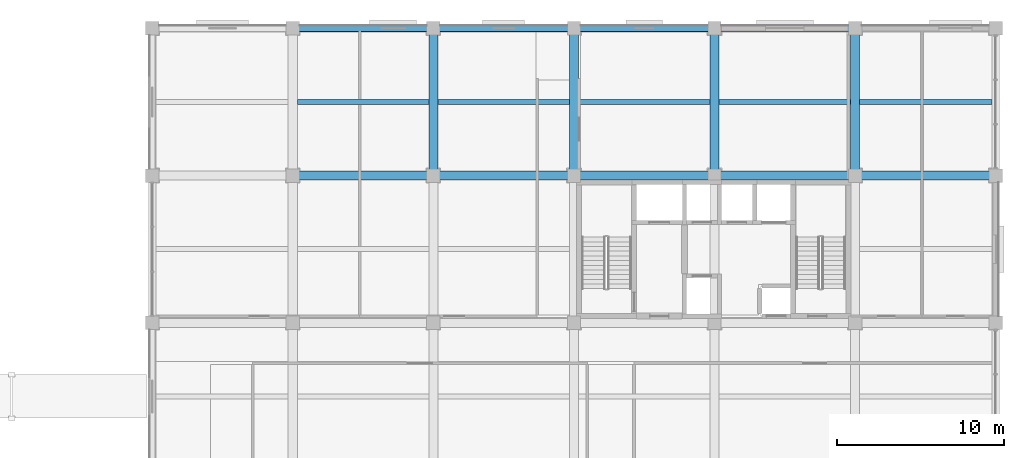
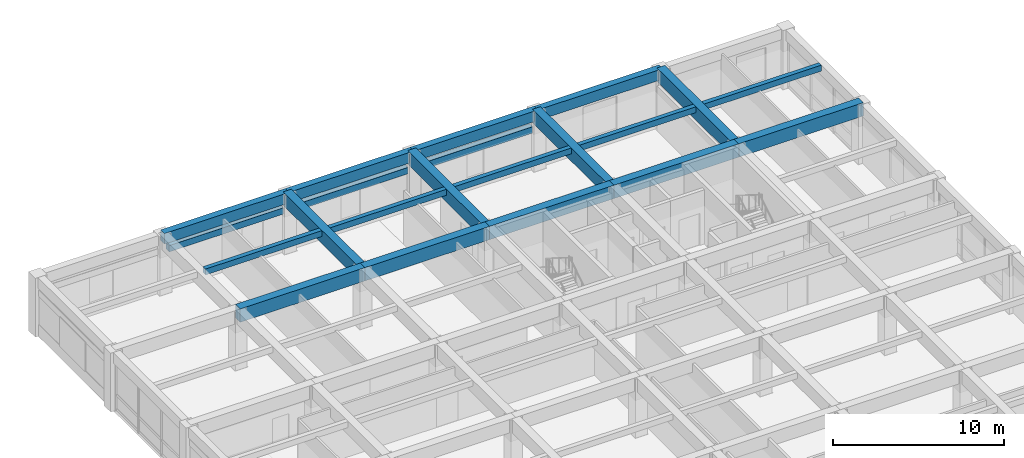
# One storey, part 23 of 46: 21 beams.
"""IFC4 building model written with IfcOpenShell, lengths in metres."""

from ifc_helpers import new_model, si_unit, direction, frame, origin, origin_2d, place, context, subcontext, project, spatial, rectangle, extrude, material, material_profile, profile_set, type_object, element, save


model = new_model("IFC4")

# Units and contexts
model_context = context("Model", 3, precision=1e-05, world=origin(), true_north=direction((0.0, 1.0)))
body_context = subcontext(model_context, "Body", "Model", "MODEL_VIEW")
ifc_project = project(units=[si_unit("LENGTHUNIT", "METRE"), si_unit("AREAUNIT", "SQUARE_METRE"), si_unit("VOLUMEUNIT", "CUBIC_METRE"), si_unit("PLANEANGLEUNIT", "RADIAN"), si_unit("MASSUNIT", "GRAM", prefix="KILO")], contexts=[model_context])

# Site, building, storey
site_placement = place(None, origin())
site = spatial("IfcSite", under=ifc_project, at=site_placement, CompositionType="ELEMENT")
building_placement = place(site_placement, origin())
building = spatial("IfcBuilding", under=site, at=building_placement, Name="Kemercrest Conservatory and Botanical Centre", CompositionType="ELEMENT")
storey_placement = place(building_placement, frame((0.0, 0.0, 9.0)))
storey = spatial("IfcBuildingStorey", under=building, at=storey_placement, Name="L02", CompositionType="ELEMENT", Elevation=9.0)

# Beams
ifc_material_1 = material(Name="Concrete C50/60", Category="concrete")
ifc_material_profile_1 = material_profile(ifc_material_1, rectangle(XDim=0.550048828125, YDim=0.949951171875, at=origin_2d()), Name="RC 550x950")
ifc_profile_set_1 = profile_set([ifc_material_profile_1], Name="Concrete C50/60")
beam_type_1 = type_object("IfcBeamType", Name="BM-RC95", PredefinedType="BEAM", material=ifc_profile_set_1)
beam_1_placement = place(storey_placement, frame((134.0, 113.60009765625, 3.72509765625), z_axis=(1.0, 0.0, 0.0), x_axis=(0.0, 1.0, 0.0)))
element("IfcBeam", 1, at=beam_1_placement, inside=storey, type_object=beam_type_1, Name="V4-L03 beam BM-RC95 N/16-17", PredefinedType="BEAM", context=body_context, shape_type="SweptSolid", body=[
    extrude(rectangle(XDim=0.550048828125, YDim=0.949951171875, at=origin_2d()), origin(), (0.0, 0.0, 1.0), 8.39990234375),
])
beam_2_placement = place(storey_placement, frame((142.39990234375, 113.60009765625, 3.72509765625), z_axis=(1.0, 0.0, 0.0), x_axis=(0.0, 1.0, 0.0)))
element("IfcBeam", 2, at=beam_2_placement, inside=storey, type_object=beam_type_1, Name="V4-L03 beam BM-RC95 N/17-18", PredefinedType="BEAM", context=body_context, shape_type="SweptSolid", body=[
    extrude(rectangle(XDim=0.550048828125, YDim=0.949951171875, at=origin_2d()), origin(), (0.0, 0.0, 1.0), 8.400146484375),
])
beam_3_placement = place(storey_placement, frame((150.800048828125, 113.60009765625, 3.72509765625), z_axis=(1.0, 0.0, 0.0), x_axis=(0.0, 1.0, 0.0)))
element("IfcBeam", 3, at=beam_3_placement, inside=storey, type_object=beam_type_1, Name="V4-L03 beam BM-RC95 N/18-19", PredefinedType="BEAM", context=body_context, shape_type="SweptSolid", body=[
    extrude(rectangle(XDim=0.550048828125, YDim=0.949951171875, at=origin_2d()), origin(), (0.0, 0.0, 1.0), 8.39990234375),
])
beam_4_placement = place(storey_placement, frame((159.199951171875, 113.60009765625, 3.72509765625), z_axis=(1.0, 0.0, 0.0), x_axis=(0.0, 1.0, 0.0)))
element("IfcBeam", 4, at=beam_4_placement, inside=storey, type_object=beam_type_1, Name="V4-L03 beam BM-RC95 N/19-20", PredefinedType="BEAM", context=body_context, shape_type="SweptSolid", body=[
    extrude(rectangle(XDim=0.550048828125, YDim=0.949951171875, at=origin_2d()), origin(), (0.0, 0.0, 1.0), 8.400146484375),
])
beam_5_placement = place(storey_placement, frame((167.60009765625, 113.60009765625, 3.72509765625), z_axis=(1.0, 0.0, 0.0), x_axis=(0.0, 1.0, 0.0)))
element("IfcBeam", 5, at=beam_5_placement, inside=storey, type_object=beam_type_1, Name="V4-L03 beam BM-RC95 N/20-21", PredefinedType="BEAM", context=body_context, shape_type="SweptSolid", body=[
    extrude(rectangle(XDim=0.550048828125, YDim=0.949951171875, at=origin_2d()), origin(), (0.0, 0.0, 1.0), 8.39990234375),
])
for number, where, z_axis, x_axis, name in (
    (6, (142.39990234375, 113.60009765625, 3.72509765625), (0.0, 1.0, 0.0), (-1.0, 0.0, 0.0), "V4-L03 beam BM-RC95 17/N-P"),
    (7, (150.800048828125, 113.60009765625, 3.72509765625), (0.0, 1.0, 0.0), (-1.0, 0.0, 0.0), "V4-L03 beam BM-RC95 18/N-P"),
    (8, (159.199951171875, 113.60009765625, 3.72509765625), (0.0, 1.0, 0.0), (-1.0, 0.0, 0.0), "V4-L03 beam BM-RC95 19/N-P"),
    (9, (167.60009765625, 113.60009765625, 3.72509765625), (0.0, 1.0, 0.0), (-1.0, 0.0, 0.0), "V4-L03 beam BM-RC95 20/N-P"),
):
    element("IfcBeam", number, at=place(storey_placement, frame(where, z_axis=z_axis, x_axis=x_axis)), inside=storey, type_object=beam_type_1, Name=name, PredefinedType="BEAM", context=body_context, shape_type="SweptSolid", body=[
        extrude(rectangle(XDim=0.550048828125, YDim=0.949951171875, at=origin_2d()), origin(), (0.0, 0.0, 1.0), 8.7998046875),
    ])
ifc_material_2 = material(Name="Concrete C40/50", Category="concrete")
ifc_material_profile_2 = material_profile(ifc_material_2, rectangle(XDim=0.300048828125, YDim=0.419921875, at=origin_2d()), Name="RC 300x420")
ifc_profile_set_2 = profile_set([ifc_material_profile_2], Name="Concrete C40/50")
beam_type_2 = type_object("IfcBeamType", Name="JS-RC42", PredefinedType="JOIST", material=ifc_profile_set_2)
beam_6_placement = place(storey_placement, frame((134.27490234375, 118.0, 3.989990234375), z_axis=(1.0, 0.0, 0.0), x_axis=(0.0, 1.0, 0.0)))
element("IfcBeam", 10, at=beam_6_placement, inside=storey, type_object=beam_type_2, Name="V4-L03 secondary joist JS-RC42", PredefinedType="JOIST", context=body_context, shape_type="SweptSolid", body=[
    extrude(rectangle(XDim=0.300048828125, YDim=0.419921875, at=origin_2d()), origin(), (0.0, 0.0, 1.0), 7.85009765625),
])
beam_7_placement = place(storey_placement, frame((142.675048828125, 118.0, 3.989990234375), z_axis=(1.0, 0.0, 0.0), x_axis=(0.0, 1.0, 0.0)))
element("IfcBeam", 11, at=beam_7_placement, inside=storey, type_object=beam_type_2, Name="V4-L03 secondary joist JS-RC42", PredefinedType="JOIST", context=body_context, shape_type="SweptSolid", body=[
    extrude(rectangle(XDim=0.300048828125, YDim=0.419921875, at=origin_2d()), origin(), (0.0, 0.0, 1.0), 7.849853515625),
])
beam_8_placement = place(storey_placement, frame((151.074951171875, 118.0, 3.989990234375), z_axis=(1.0, 0.0, 0.0), x_axis=(0.0, 1.0, 0.0)))
element("IfcBeam", 12, at=beam_8_placement, inside=storey, type_object=beam_type_2, Name="V4-L03 secondary joist JS-RC42", PredefinedType="JOIST", context=body_context, shape_type="SweptSolid", body=[
    extrude(rectangle(XDim=0.300048828125, YDim=0.419921875, at=origin_2d()), origin(), (0.0, 0.0, 1.0), 7.85009765625),
])
beam_9_placement = place(storey_placement, frame((159.47509765625, 118.0, 3.989990234375), z_axis=(1.0, 0.0, 0.0), x_axis=(0.0, 1.0, 0.0)))
element("IfcBeam", 13, at=beam_9_placement, inside=storey, type_object=beam_type_2, Name="V4-L03 secondary joist JS-RC42", PredefinedType="JOIST", context=body_context, shape_type="SweptSolid", body=[
    extrude(rectangle(XDim=0.300048828125, YDim=0.419921875, at=origin_2d()), origin(), (0.0, 0.0, 1.0), 7.849853515625),
])
beam_10_placement = place(storey_placement, frame((167.875, 118.0, 3.989990234375), z_axis=(1.0, 0.0, 0.0), x_axis=(0.0, 1.0, 0.0)))
element("IfcBeam", 14, at=beam_10_placement, inside=storey, type_object=beam_type_2, Name="V4-L03 secondary joist JS-RC42", PredefinedType="JOIST", context=body_context, shape_type="SweptSolid", body=[
    extrude(rectangle(XDim=0.300048828125, YDim=0.419921875, at=origin_2d()), origin(), (0.0, 0.0, 1.0), 7.89990234375),
])
ifc_material_3 = material(Name="Precast concrete C40/50", Category="concrete")
ifc_material_profile_3 = material_profile(ifc_material_3, rectangle(XDim=0.35009765625, YDim=0.449951171875, at=origin_2d()), Name="RC 350x450")
ifc_profile_set_3 = profile_set([ifc_material_profile_3], Name="Precast concrete C40/50")
beam_type_3 = type_object("IfcBeamType", Name="LN-RC47", PredefinedType="LINTEL", material=ifc_profile_set_3)
beam_11_placement = place(storey_placement, frame((158.85009765625, 122.39990234375, 2.864990234375), z_axis=(-1.0, 0.0, 0.0), x_axis=(0.0, -1.0, 0.0)))
element("IfcBeam", 15, at=beam_11_placement, inside=storey, type_object=beam_type_3, Name="Precast arched window lintel (WIN:L02:EXT-200)", PredefinedType="LINTEL", context=body_context, shape_type="SweptSolid", body=[
    extrude(rectangle(XDim=0.35009765625, YDim=0.449951171875, at=origin_2d()), origin(), (0.0, 0.0, 1.0), 7.7001953125),
])
for number, where, z_axis, x_axis, name in (
    (16, (150.449951171875, 122.39990234375, 2.905029296875), (-1.0, 0.0, 0.0), (0.0, -1.0, 0.0), "Precast arched window lintel (WIN:L02:EXT-201)"),
    (17, (142.050048828125, 122.39990234375, 2.965087890625), (-1.0, 0.0, 0.0), (0.0, -1.0, 0.0), "Precast arched window lintel (WIN:L02:EXT-202)"),
):
    element("IfcBeam", number, at=place(storey_placement, frame(where, z_axis=z_axis, x_axis=x_axis)), inside=storey, type_object=beam_type_3, Name=name, PredefinedType="LINTEL", context=body_context, shape_type="SweptSolid", body=[
        extrude(rectangle(XDim=0.35009765625, YDim=0.449951171875, at=origin_2d()), origin(), (0.0, 0.0, 1.0), 7.699951171875),
    ])
ifc_material_profile_4 = material_profile(ifc_material_2, rectangle(XDim=0.449951171875, YDim=0.75, at=origin_2d()), Name="RC 450x750")
ifc_profile_set_4 = profile_set([ifc_material_profile_4], Name="Concrete C40/50")
beam_type_4 = type_object("IfcBeamType", Name="SP-RC75", PredefinedType="SPANDREL", material=ifc_profile_set_4)
beam_12_placement = place(storey_placement, frame((134.0, 122.39990234375, 3.824951171875), z_axis=(1.0, 0.0, 0.0), x_axis=(0.0, 1.0, 0.0)))
element("IfcBeam", 18, at=beam_12_placement, inside=storey, type_object=beam_type_4, Name="V4-L03 beam SP-RC75 P/16-17", PredefinedType="SPANDREL", context=body_context, shape_type="SweptSolid", body=[
    extrude(rectangle(XDim=0.449951171875, YDim=0.75, at=origin_2d()), origin(), (0.0, 0.0, 1.0), 8.39990234375),
])
beam_13_placement = place(storey_placement, frame((142.39990234375, 122.39990234375, 3.824951171875), z_axis=(1.0, 0.0, 0.0), x_axis=(0.0, 1.0, 0.0)))
element("IfcBeam", 19, at=beam_13_placement, inside=storey, type_object=beam_type_4, Name="V4-L03 beam SP-RC75 P/17-18", PredefinedType="SPANDREL", context=body_context, shape_type="SweptSolid", body=[
    extrude(rectangle(XDim=0.449951171875, YDim=0.75, at=origin_2d()), origin(), (0.0, 0.0, 1.0), 8.400146484375),
])
beam_14_placement = place(storey_placement, frame((150.800048828125, 122.39990234375, 3.824951171875), z_axis=(1.0, 0.0, 0.0), x_axis=(0.0, 1.0, 0.0)))
element("IfcBeam", 20, at=beam_14_placement, inside=storey, type_object=beam_type_4, Name="V4-L03 beam SP-RC75 P/18-19", PredefinedType="SPANDREL", context=body_context, shape_type="SweptSolid", body=[
    extrude(rectangle(XDim=0.449951171875, YDim=0.75, at=origin_2d()), origin(), (0.0, 0.0, 1.0), 8.39990234375),
])
beam_15_placement = place(storey_placement, frame((159.199951171875, 122.39990234375, 3.824951171875), z_axis=(1.0, 0.0, 0.0), x_axis=(0.0, 1.0, 0.0)))
element("IfcBeam", 21, at=beam_15_placement, inside=storey, type_object=beam_type_4, Name="V4-L03 beam SP-RC75 P/19-20", PredefinedType="SPANDREL", context=body_context, shape_type="SweptSolid", body=[
    extrude(rectangle(XDim=0.449951171875, YDim=0.75, at=origin_2d()), origin(), (0.0, 0.0, 1.0), 8.400146484375),
])

save(model, "model.ifc")
